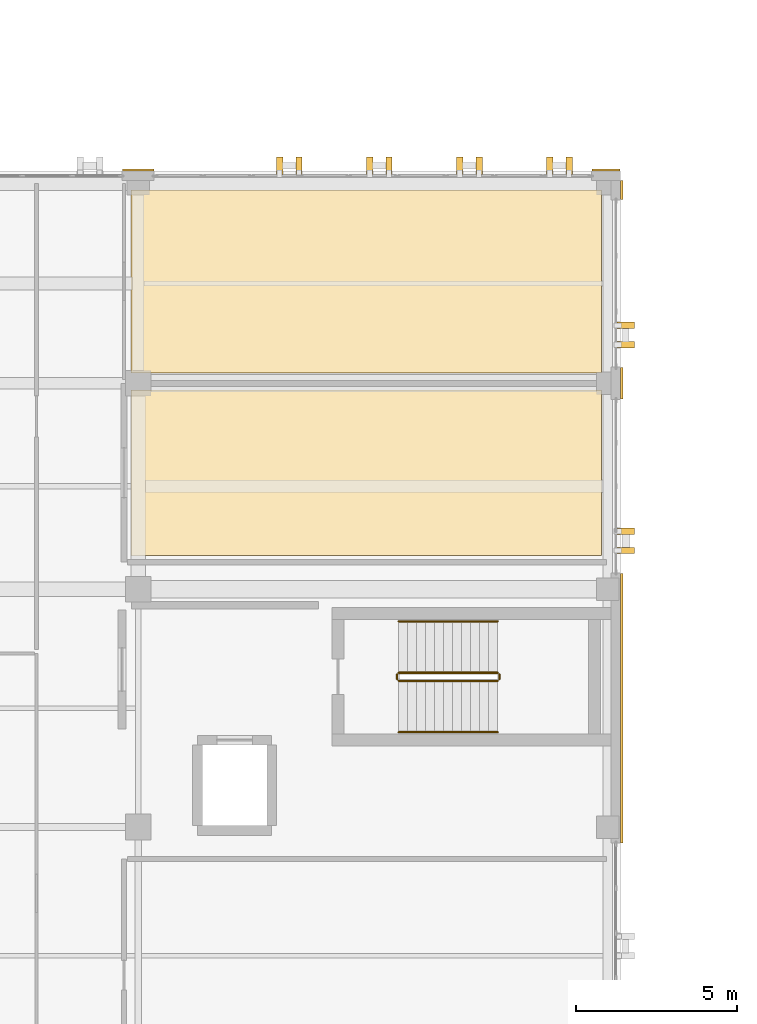
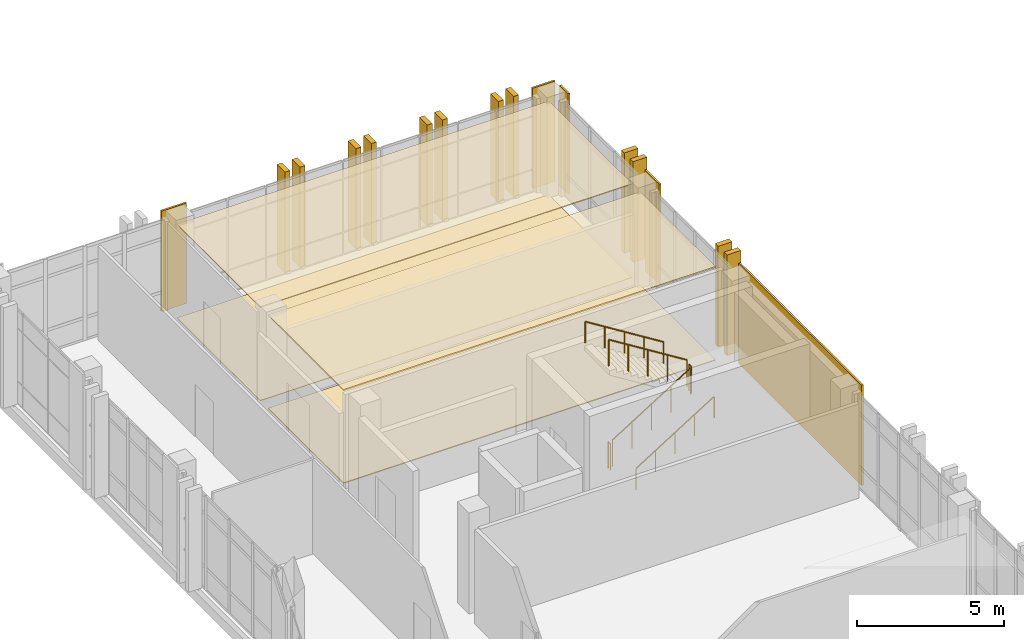
# One storey, part 159 of 165: 21 coverings, 6 railings.
"""IFC4 building model written with IfcOpenShell, lengths in metres."""

from ifc_helpers import new_model, si_unit, direction, frame, origin, origin_2d, place, context, subcontext, project, spatial, polyline, rectangle, circle, outline, extrude, material, layer, layer_set, type_object, element, save


model = new_model("IFC4")

# Units and contexts
model_context = context("Model", 3, precision=1e-05, world=origin(), true_north=direction((0.0, 1.0)))
body_context = subcontext(model_context, "Body", "Model", "MODEL_VIEW")
ifc_project = project(units=[si_unit("LENGTHUNIT", "METRE"), si_unit("AREAUNIT", "SQUARE_METRE"), si_unit("VOLUMEUNIT", "CUBIC_METRE"), si_unit("PLANEANGLEUNIT", "RADIAN"), si_unit("MASSUNIT", "GRAM", prefix="KILO")], contexts=[model_context])

# Site, building, storey
site_placement = place(None, origin())
site = spatial("IfcSite", under=ifc_project, at=site_placement, CompositionType="ELEMENT")
building_placement = place(site_placement, origin())
building = spatial("IfcBuilding", under=site, at=building_placement, Name="Qalavern Law Courts", CompositionType="ELEMENT")
storey_placement = place(building_placement, frame((0.0, 0.0, 14.39990234375)))
storey = spatial("IfcBuildingStorey", under=building, at=storey_placement, Name="L03", CompositionType="ELEMENT", Elevation=14.39990234375)

# Coverings
ifc_material_1 = material(Name="Precast concrete C40/50", Category="concrete")
ifc_layer_1 = layer(ifc_material_1, 0.199951171875)
ifc_layer_set_1 = layer_set([ifc_layer_1], Name="Precast concrete C40/50")
covering_type_1 = type_object("IfcCoveringType", Name="ENV-BLD-1", PredefinedType="CLADDING", material=ifc_layer_set_1)
for number, where, z_axis, x_axis, name in (
    (1, (106.96240234375, 74.0, 0.005126953125), (0.0, 0.0, 1.0), (1.0, 0.0, 0.0), "Absheron stone facade blade 0635"),
    (2, (106.96240234375, 74.60009765625, 0.005126953125), (0.0, 0.0, 1.0), (1.0, 0.0, 0.0), "Absheron stone facade blade 0636"),
    (3, (106.96240234375, 80.39990234375, 0.005126953125), (0.0, 0.0, 1.0), (1.0, 0.0, 0.0), "Absheron stone facade blade 0637"),
    (4, (106.96240234375, 81.0, 0.005126953125), (0.0, 0.0, 1.0), (1.0, 0.0, 0.0), "Absheron stone facade blade 0638"),
    (5, (105.199951171875, 85.96240234375, 0.005126953125), (0.0, 0.0, 1.0), (0.0, 1.0, 0.0), "Absheron stone facade blade 0639"),
    (6, (104.60009765625, 85.96240234375, 0.005126953125), (0.0, 0.0, 1.0), (0.0, 1.0, 0.0), "Absheron stone facade blade 0640"),
    (7, (102.39990234375, 85.96240234375, 0.005126953125), (0.0, 0.0, 1.0), (0.0, 1.0, 0.0), "Absheron stone facade blade 0641"),
    (8, (101.800048828125, 85.96240234375, 0.005126953125), (0.0, 0.0, 1.0), (0.0, 1.0, 0.0), "Absheron stone facade blade 0642"),
    (9, (99.60009765625, 85.96240234375, 0.005126953125), (0.0, 0.0, 1.0), (0.0, 1.0, 0.0), "Absheron stone facade blade 0643"),
    (10, (99.0, 85.96240234375, 0.005126953125), (0.0, 0.0, 1.0), (0.0, 1.0, 0.0), "Absheron stone facade blade 0644"),
    (11, (96.800048828125, 85.96240234375, 0.005126953125), (0.0, 0.0, 1.0), (0.0, 1.0, 0.0), "Absheron stone facade blade 0645"),
    (12, (96.199951171875, 85.96240234375, 0.005126953125), (0.0, 0.0, 1.0), (0.0, 1.0, 0.0), "Absheron stone facade blade 0646"),
):
    element("IfcCovering", number, at=place(storey_placement, frame(where, z_axis=z_axis, x_axis=x_axis)), inside=storey, type_object=covering_type_1, Name=name, PredefinedType="CLADDING", context=body_context, shape_type="SweptSolid", body=[
        extrude(rectangle(XDim=0.5400390625, YDim=0.199951171875, at=origin_2d()), origin(), (0.0, 0.0, 1.0), 4.18994140625),
    ])
ifc_layer_2 = layer(ifc_material_1, 0.072021484375)
ifc_layer_set_2 = layer_set([ifc_layer_2], Name="Precast concrete C40/50")
covering_type_2 = type_object("IfcCoveringType", Name="ENV-CLD-2", PredefinedType="CLADDING", material=ifc_layer_set_2)
covering_1_placement = place(storey_placement, frame((106.8330078125, 69.10009765625, 0.01025390625), z_axis=(0.0, 0.0, 1.0), x_axis=(0.0, 1.0, 0.0)))
element("IfcCovering", 13, at=covering_1_placement, inside=storey, type_object=covering_type_2, Name="V4 Absheron limestone pier facing L03 east 4", PredefinedType="CLADDING", context=body_context, shape_type="SweptSolid", body=[
    extrude(rectangle(XDim=8.3798828125, YDim=0.072021484375, at=origin_2d()), origin(), (0.0, 0.0, 1.0), 4.179931640625),
])
covering_2_placement = place(storey_placement, frame((106.8330078125, 79.199951171875, 0.01025390625), z_axis=(0.0, 0.0, 1.0), x_axis=(0.0, 1.0, 0.0)))
element("IfcCovering", 14, at=covering_2_placement, inside=storey, type_object=covering_type_2, Name="V4 Absheron limestone pier facing L03 east 5", PredefinedType="CLADDING", context=body_context, shape_type="SweptSolid", body=[
    extrude(rectangle(XDim=0.97998046875, YDim=0.072021484375, at=origin_2d()), origin(), (0.0, 0.0, 1.0), 4.179931640625),
])
covering_3_placement = place(storey_placement, frame((106.8330078125, 85.205078125, 0.01025390625), z_axis=(0.0, 0.0, 1.0), x_axis=(0.0, 1.0, 0.0)))
element("IfcCovering", 15, at=covering_3_placement, inside=storey, type_object=covering_type_2, Name="V4 Absheron limestone pier facing L03 east 6", PredefinedType="CLADDING", context=body_context, shape_type="SweptSolid", body=[
    extrude(rectangle(XDim=0.590087890625, YDim=0.072021484375, at=origin_2d()), origin(), (0.0, 0.0, 1.0), 4.179931640625),
])
covering_4_placement = place(storey_placement, frame((106.35009765625, 85.8330078125, 0.01025390625), z_axis=(0.0, 0.0, 1.0), x_axis=(-1.0, 0.0, 0.0)))
element("IfcCovering", 16, at=covering_4_placement, inside=storey, type_object=covering_type_2, Name="V4 Absheron limestone pier facing L03 north 1", PredefinedType="CLADDING", context=body_context, shape_type="SweptSolid", body=[
    extrude(rectangle(XDim=0.8798828125, YDim=0.072021484375, at=origin_2d()), origin(), (0.0, 0.0, 1.0), 4.179931640625),
])
covering_5_placement = place(storey_placement, frame((91.800048828125, 85.8330078125, 0.01025390625), z_axis=(0.0, 0.0, 1.0), x_axis=(-1.0, 0.0, 0.0)))
element("IfcCovering", 17, at=covering_5_placement, inside=storey, type_object=covering_type_2, Name="V4 Absheron limestone pier facing L03 north 2", PredefinedType="CLADDING", context=body_context, shape_type="SweptSolid", body=[
    extrude(rectangle(XDim=0.97998046875, YDim=0.072021484375, at=origin_2d()), origin(), (0.0, 0.0, 1.0), 4.179931640625),
])
ifc_material_2 = material(Name="Perforated gypsum and mineral-wool acoustic ceiling")
ifc_layer_3 = layer(ifc_material_2, 0.0380859375)
ifc_layer_set_3 = layer_set([ifc_layer_3], Name="Perforated gypsum and mineral-wool acoustic ceiling")
covering_type_3 = type_object("IfcCoveringType", Name="INT-CEIL-1", PredefinedType="CEILING", material=ifc_layer_set_3)
covering_6_placement = place(storey_placement, frame((0.0, 0.0, 3.882080078125)))
element("IfcCovering", 18, at=covering_6_placement, inside=storey, type_object=covering_type_3, Name="Civil Courtroom acoustic ceiling L03", PredefinedType="CEILING", context=body_context, shape_type="SweptSolid", body=[
    extrude(outline(polyline([(91.570068359375, 79.52490234375), (106.2099609375, 79.52490234375), (106.2099609375, 85.2099609375), (91.570068359375, 85.2099609375), (91.570068359375, 79.52490234375)])), origin(), (0.0, 0.0, 1.0), 0.0380859375),
])
ifc_material_3 = material(Name="Slatted oak acoustic timber baffle ceiling", Category="wood")
ifc_layer_4 = layer(ifc_material_3, 0.055908203125)
ifc_layer_set_4 = layer_set([ifc_layer_4], Name="Slatted oak acoustic timber baffle ceiling")
covering_type_4 = type_object("IfcCoveringType", Name="INT-CEIL-3", PredefinedType="CEILING", material=ifc_layer_set_4)
covering_7_placement = place(storey_placement, frame((0.0, 0.0, 3.864013671875)))
element("IfcCovering", 19, at=covering_7_placement, inside=storey, type_object=covering_type_4, Name="Commercial Courtroom acoustic ceiling L03", PredefinedType="CEILING", context=body_context, shape_type="SweptSolid", body=[
    extrude(outline(polyline([(91.570068359375, 73.85009765625), (106.2099609375, 73.85009765625), (106.2099609375, 78.985107421875), (91.570068359375, 78.985107421875), (91.570068359375, 73.85009765625)])), origin(), (0.0, 0.0, 1.0), 0.05615234375),
])
ifc_material_4 = material(Name="Acoustic engineered oak courtroom flooring")
ifc_layer_5 = layer(ifc_material_4, 0.02197265625)
ifc_layer_set_5 = layer_set([ifc_layer_5], Name="Acoustic engineered oak courtroom flooring")
covering_type_5 = type_object("IfcCoveringType", Name="INT-FLR-1", PredefinedType="FLOORING", material=ifc_layer_set_5)
covering_8_placement = place(storey_placement, origin())
element("IfcCovering", 20, at=covering_8_placement, inside=storey, type_object=covering_type_5, Name="Civil Courtroom finish flooring L03", PredefinedType="FLOORING", context=body_context, shape_type="SweptSolid", body=[
    extrude(outline(polyline([(91.570068359375, 79.52490234375), (106.2099609375, 79.52490234375), (106.2099609375, 85.2099609375), (91.570068359375, 85.2099609375), (91.570068359375, 79.52490234375)])), origin(), (0.0, 0.0, 1.0), 0.022216796875),
])
ifc_layer_6 = layer(ifc_material_4, 0.0380859375)
ifc_layer_set_6 = layer_set([ifc_layer_6], Name="Acoustic engineered oak courtroom flooring")
covering_type_6 = type_object("IfcCoveringType", Name="INT-FLR-3", PredefinedType="FLOORING", material=ifc_layer_set_6)
covering_9_placement = place(storey_placement, origin())
element("IfcCovering", 21, at=covering_9_placement, inside=storey, type_object=covering_type_6, Name="Commercial Courtroom finish flooring L03", PredefinedType="FLOORING", context=body_context, shape_type="SweptSolid", body=[
    extrude(outline(polyline([(91.570068359375, 73.85009765625), (106.2099609375, 73.85009765625), (106.2099609375, 78.985107421875), (91.570068359375, 78.985107421875), (91.570068359375, 73.85009765625)])), origin(), (0.0, 0.0, 1.0), 0.0380859375),
])

# Railings
ifc_material_5 = material(Name="Steel S355", Category="steel")
railing_type_1 = type_object("IfcRailingType", Name="INT-GUARD-1120", PredefinedType="BALUSTRADE", material=ifc_material_5)
railing_1_placement = place(storey_placement, frame((99.89990234375, 69.949951171875, 0.175048828125)))
element("IfcRailing", 22, at=railing_1_placement, inside=storey, type_object=railing_type_1, Name="L03 ST-K1B stair guard 1", PredefinedType="BALUSTRADE", context=body_context, shape_type="SweptSolid", body=[
    extrude(circle(Radius=0.02392578125, at=origin_2d()), frame((0.0, 0.0, 1.09619140625), z_axis=(0.847998304005, 0.0, 0.529998940003), x_axis=(0.0, 1.0, 0.0)), (0.0, 0.0, 1.0), 3.632080078125),
    extrude(circle(Radius=0.02099609375, at=origin_2d()), origin(), (0.0, 0.0, 1.0), 1.072021484375),
    extrude(circle(Radius=0.02099609375, at=origin_2d()), frame((0.77001953125, 0.0, 0.481201171875)), (0.0, 0.0, 1.0), 1.072021484375),
    extrude(circle(Radius=0.02099609375, at=origin_2d()), frame((1.5400390625, 0.0, 0.96240234375)), (0.0, 0.0, 1.0), 1.072021484375),
    extrude(circle(Radius=0.02099609375, at=origin_2d()), frame((2.31005859375, 0.0, 1.44384765625)), (0.0, 0.0, 1.0), 1.072021484375),
    extrude(circle(Radius=0.02099609375, at=origin_2d()), frame((3.080078125, 0.0, 1.925048828125)), (0.0, 0.0, 1.0), 1.072021484375),
])
railing_2_placement = place(storey_placement, frame((103.030029296875, 70.0, 2.10009765625)))
element("IfcRailing", 23, at=railing_2_placement, inside=storey, type_object=railing_type_1, Name="L03 ST-K1B stair guard 2", PredefinedType="BALUSTRADE", context=body_context, shape_type="SweptSolid", body=[
    extrude(circle(Radius=0.02392578125, at=origin_2d()), frame((0.0, 0.0, 1.09619140625), z_axis=(0.0, 1.0, 0.0), x_axis=(-1.0, 0.0, 0.0)), (0.0, 0.0, 1.0), 0.14990234375),
    extrude(circle(Radius=0.02099609375, at=origin_2d()), origin(), (0.0, 0.0, 1.0), 1.072021484375),
    extrude(circle(Radius=0.02099609375, at=origin_2d()), frame((0.0, 0.14990234375, 0.0)), (0.0, 0.0, 1.0), 1.072021484375),
])
railing_3_placement = place(storey_placement, frame((102.97998046875, 70.199951171875, 2.275146484375)))
element("IfcRailing", 24, at=railing_3_placement, inside=storey, type_object=railing_type_1, Name="L03 ST-K1B stair guard 3", PredefinedType="BALUSTRADE", context=body_context, shape_type="SweptSolid", body=[
    extrude(circle(Radius=0.02392578125, at=origin_2d()), frame((0.0, 0.0, 1.09619140625), z_axis=(-0.847998304005, 0.0, 0.529998940003), x_axis=(0.0, -1.0, 0.0)), (0.0, 0.0, 1.0), 3.632080078125),
    extrude(circle(Radius=0.02099609375, at=origin_2d()), origin(), (0.0, 0.0, 1.0), 1.072021484375),
    extrude(circle(Radius=0.02099609375, at=origin_2d()), frame((-0.77001953125, 0.0, 0.481201171875)), (0.0, 0.0, 1.0), 1.072021484375),
    extrude(circle(Radius=0.02099609375, at=origin_2d()), frame((-1.5400390625, 0.0, 0.96240234375)), (0.0, 0.0, 1.0), 1.072021484375),
    extrude(circle(Radius=0.02099609375, at=origin_2d()), frame((-2.31005859375, 0.0, 1.44384765625)), (0.0, 0.0, 1.0), 1.072021484375),
    extrude(circle(Radius=0.02099609375, at=origin_2d()), frame((-3.080078125, 0.0, 1.925048828125)), (0.0, 0.0, 1.0), 1.072021484375),
])
railing_4_placement = place(storey_placement, frame((99.85009765625, 70.0, 0.0)))
element("IfcRailing", 25, at=railing_4_placement, inside=storey, type_object=railing_type_1, Name="L03 ST-K1B stair guard 4", PredefinedType="BALUSTRADE", context=body_context, shape_type="SweptSolid", body=[
    extrude(circle(Radius=0.02392578125, at=origin_2d()), frame((0.0, 0.0, 1.09619140625), z_axis=(0.0, 1.0, 0.0), x_axis=(-1.0, 0.0, 0.0)), (0.0, 0.0, 1.0), 0.14990234375),
    extrude(circle(Radius=0.02099609375, at=origin_2d()), origin(), (0.0, 0.0, 1.0), 1.072021484375),
    extrude(circle(Radius=0.02099609375, at=origin_2d()), frame((0.0, 0.14990234375, 0.0)), (0.0, 0.0, 1.0), 1.072021484375),
])
railing_type_2 = type_object("IfcRailingType", Name="INT-HRAIL-920", PredefinedType="HANDRAIL", material=ifc_material_5)
railing_5_placement = place(storey_placement, frame((99.89990234375, 68.35009765625, 0.175048828125)))
element("IfcRailing", 26, at=railing_5_placement, inside=storey, type_object=railing_type_2, Name="L03 ST-K1B stair handrail 1", PredefinedType="HANDRAIL", context=body_context, shape_type="SweptSolid", body=[
    extrude(circle(Radius=0.02392578125, at=origin_2d()), frame((0.0, 0.0, 0.8759765625), z_axis=(0.847998304005, 0.0, 0.529998940003), x_axis=(0.0, 1.0, 0.0)), (0.0, 0.0, 1.0), 3.632080078125),
    extrude(circle(Radius=0.02099609375, at=origin_2d()), origin(), (0.0, 0.0, 1.0), 0.851806640625),
    extrude(circle(Radius=0.02099609375, at=origin_2d()), frame((0.77001953125, 0.0, 0.481201171875)), (0.0, 0.0, 1.0), 0.851806640625),
    extrude(circle(Radius=0.02099609375, at=origin_2d()), frame((1.5400390625, 0.0, 0.96240234375)), (0.0, 0.0, 1.0), 0.851806640625),
    extrude(circle(Radius=0.02099609375, at=origin_2d()), frame((2.31005859375, 0.0, 1.44384765625)), (0.0, 0.0, 1.0), 0.851806640625),
    extrude(circle(Radius=0.02099609375, at=origin_2d()), frame((3.080078125, 0.0, 1.925048828125)), (0.0, 0.0, 1.0), 0.851806640625),
])
railing_6_placement = place(storey_placement, frame((102.97998046875, 71.800048828125, 2.275146484375)))
element("IfcRailing", 27, at=railing_6_placement, inside=storey, type_object=railing_type_2, Name="L03 ST-K1B stair handrail 2", PredefinedType="HANDRAIL", context=body_context, shape_type="SweptSolid", body=[
    extrude(circle(Radius=0.02392578125, at=origin_2d()), frame((0.0, 0.0, 0.8759765625), z_axis=(-0.847998304005, 0.0, 0.529998940003), x_axis=(0.0, -1.0, 0.0)), (0.0, 0.0, 1.0), 3.632080078125),
    extrude(circle(Radius=0.02099609375, at=origin_2d()), origin(), (0.0, 0.0, 1.0), 0.851806640625),
    extrude(circle(Radius=0.02099609375, at=origin_2d()), frame((-0.77001953125, 0.0, 0.481201171875)), (0.0, 0.0, 1.0), 0.851806640625),
    extrude(circle(Radius=0.02099609375, at=origin_2d()), frame((-1.5400390625, 0.0, 0.96240234375)), (0.0, 0.0, 1.0), 0.851806640625),
    extrude(circle(Radius=0.02099609375, at=origin_2d()), frame((-2.31005859375, 0.0, 1.44384765625)), (0.0, 0.0, 1.0), 0.851806640625),
    extrude(circle(Radius=0.02099609375, at=origin_2d()), frame((-3.080078125, 0.0, 1.925048828125)), (0.0, 0.0, 1.0), 0.851806640625),
])

save(model, "model.ifc")
